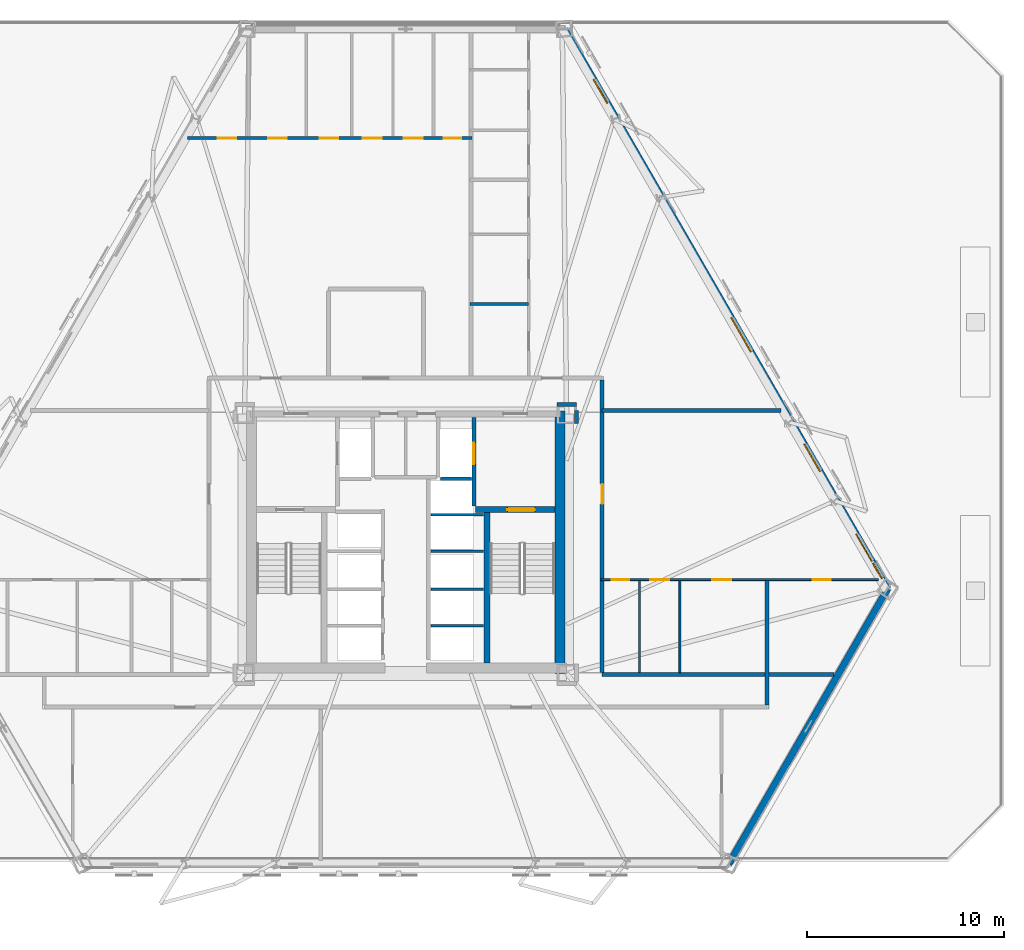
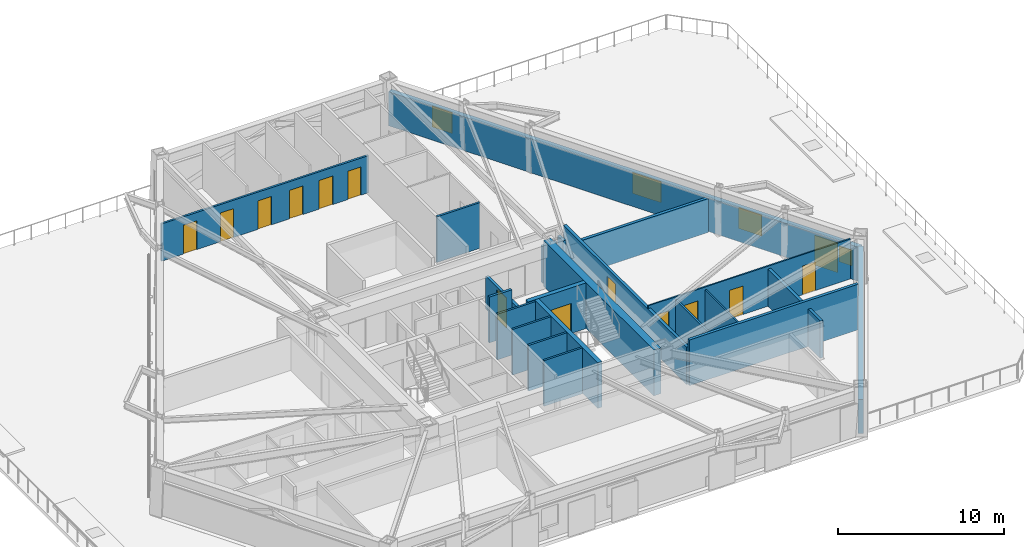
# One storey, part 5 of 14: 22 walls, 14 doors, 4 windows, 18 openings.
"""IFC4 building model written with IfcOpenShell, lengths in metres."""

from ifc_helpers import new_model, si_unit, direction, frame, frame_2d, origin, place, context, subcontext, project, spatial, rectangle, extrude, material, layer, layer_set, type_object, element, fill, save


model = new_model("IFC4")

# Units and contexts
model_context = context("Model", 3, precision=1e-05, world=origin(), true_north=direction((0.0, 1.0)))
body_context = subcontext(model_context, "Body", "Model", "MODEL_VIEW")
ifc_project = project(units=[si_unit("LENGTHUNIT", "METRE"), si_unit("AREAUNIT", "SQUARE_METRE"), si_unit("VOLUMEUNIT", "CUBIC_METRE"), si_unit("PLANEANGLEUNIT", "RADIAN"), si_unit("MASSUNIT", "GRAM", prefix="KILO")], contexts=[model_context])

# Site, building, storey
site_placement = place(None, origin())
site = spatial("IfcSite", under=ifc_project, at=site_placement, CompositionType="ELEMENT")
building_placement = place(site_placement, origin())
building = spatial("IfcBuilding", under=site, at=building_placement, Name="Oramaril Tower", CompositionType="ELEMENT")
storey_placement = place(building_placement, frame((0.0, 0.0, 27.300048828125)))
storey = spatial("IfcBuildingStorey", under=building, at=storey_placement, Name="L06", CompositionType="ELEMENT", Elevation=27.300048828125)

# Wall
ifc_material_1 = material(Name="Warm Cream Limestone", Category="masonry")
ifc_layer_1 = layer(ifc_material_1, 0.340087890625)
ifc_layer_set_1 = layer_set([ifc_layer_1], Name="WT-EXT34")
wall_type_1 = type_object("IfcWallType", Name="WT-EXT34", PredefinedType="SOLIDWALL", material=ifc_layer_set_1)
wall_1_placement = place(storey_placement, frame((53.862060546875, 1.360107421875, 0.0), z_axis=(0.0, 0.0, 1.0), x_axis=(0.500005168208, 0.866022419898, 0.0)))
element("IfcWall", 1, at=wall_1_placement, inside=storey, type_object=wall_type_1, Name="L06 Tower Limestone Facade Wall 3M", PredefinedType="SOLIDWALL", context=body_context, shape_type="SweptSolid", body=[
    extrude(rectangle(XDim=16.096435546875, YDim=0.340087890625, at=frame_2d((8.04833984375, 0.0))), origin(), (0.0, 0.0, 1.0), 2.493896484375),
])

# Wall, openings, door, windows
wall_2_placement = place(storey_placement, frame((61.910400390625, 15.300048828125, 0.0), z_axis=(0.0, 0.0, 1.0), x_axis=(-0.50000660679, 0.866021589319, 0.0)))
wall_2 = element("IfcWall", 2, at=wall_2_placement, inside=storey, type_object=wall_type_1, Name="L06 Tower Limestone Facade Wall 4M", PredefinedType="SOLIDWALL", context=body_context, shape_type="SweptSolid", body=[
    extrude(rectangle(XDim=32.72412109375, YDim=0.340087890625, at=frame_2d((16.362060546875, 0.0))), origin(), (0.0, 0.0, 1.0), 2.493896484375),
])
opening_1_placement = place(wall_2_placement, frame((1.60009765625, 0.0, 0.0)))
opening_1 = element("IfcOpeningElement", 3, at=opening_1_placement, cuts=wall_2, Name="Opening D-L06-T3", PredefinedType="OPENING", context=body_context, shape_type="SweptSolid", body=[
    extrude(rectangle(XDim=1.60009765625, YDim=2.199951171875, at=frame_2d((0.800048828125, 1.10009765625))), frame((0.0, 0.169921875, 0.0), z_axis=(0.0, -1.0, 0.0), x_axis=(1.0, 0.0, 0.0)), (0.0, 0.0, 1.0), 0.340087890625),
])
opening_2_placement = place(wall_2_placement, frame((6.854248046875, 0.0, 0.85009765625)))
opening_2 = element("IfcOpeningElement", 4, at=opening_2_placement, cuts=wall_2, Name="Opening WN-07", PredefinedType="OPENING", context=body_context, shape_type="SweptSolid", body=[
    extrude(rectangle(XDim=1.60009765625, YDim=1.533935546875, at=frame_2d((0.800048828125, 0.76708984375))), frame((0.0, 0.169921875, 0.0), z_axis=(0.0, -1.0, 0.0), x_axis=(1.0, 0.0, 0.0)), (0.0, 0.0, 1.0), 0.340087890625),
])
opening_3_placement = place(wall_2_placement, frame((13.85302734375, 0.0, 0.85009765625)))
opening_3 = element("IfcOpeningElement", 5, at=opening_3_placement, cuts=wall_2, Name="Opening WN-05", PredefinedType="OPENING", context=body_context, shape_type="SweptSolid", body=[
    extrude(rectangle(XDim=2.0, YDim=1.533935546875, at=frame_2d((1.0, 0.76708984375))), frame((0.0, 0.169921875, 0.0), z_axis=(0.0, -1.0, 0.0), x_axis=(1.0, 0.0, 0.0)), (0.0, 0.0, 1.0), 0.340087890625),
])
opening_4_placement = place(wall_2_placement, frame((28.38720703125, 0.0, 0.85009765625)))
opening_4 = element("IfcOpeningElement", 6, at=opening_4_placement, cuts=wall_2, Name="Opening WN-08", PredefinedType="OPENING", context=body_context, shape_type="SweptSolid", body=[
    extrude(rectangle(XDim=1.39990234375, YDim=1.533935546875, at=frame_2d((0.699951171875, 0.76708984375))), frame((0.0, 0.169921875, 0.0), z_axis=(0.0, -1.0, 0.0), x_axis=(1.0, 0.0, 0.0)), (0.0, 0.0, 1.0), 0.340087890625),
])
opening_5_placement = place(wall_2_placement, frame((0.589111328125, 0.0, 0.85009765625)))
opening_5 = element("IfcOpeningElement", 7, at=opening_5_placement, cuts=wall_2, Name="Opening WN-12", PredefinedType="OPENING", context=body_context, shape_type="SweptSolid", body=[
    extrude(rectangle(XDim=0.89990234375, YDim=1.14990234375, at=frame_2d((0.449951171875, 0.574951171875))), frame((0.0, 0.169921875, 0.0), z_axis=(0.0, -1.0, 0.0), x_axis=(1.0, 0.0, 0.0)), (0.0, 0.0, 1.0), 0.340087890625),
])
ifc_material_2 = material(Name="Anodised Aluminium 6063-T6", Category="aluminium")
door_type_1 = type_object("IfcDoorType", Name="DT-TER", OperationType="NOTDEFINED", PredefinedType="DOOR", material=ifc_material_2)
door_1_placement = place(opening_1_placement, origin())
door_1 = element("IfcDoor", 8, at=door_1_placement, inside=storey, type_object=door_type_1, Name="L06 Podium Roof Terrace Access Door", OperationType="SINGLE_SWING_RIGHT", OverallHeight=2.199951171875, OverallWidth=1.60009765625, PredefinedType="DOOR", context=body_context, shape_type="SweptSolid", body=[
    extrude(rectangle(XDim=1.60009765625, YDim=2.199951171875, at=frame_2d((0.800048828125, 1.10009765625))), frame((0.0, 0.02490234375, 0.0), z_axis=(0.0, -1.0, 0.0), x_axis=(1.0, 0.0, 0.0)), (0.0, 0.0, 1.0), 0.050048828125),
])
fill(opening_1, door_1)
ifc_material_3 = material(Name="Coastal Low-E Insulated Glass", Category="glass")
window_type_1 = type_object("IfcWindowType", Name="WNT-05", PartitioningType="SINGLE_PANEL", PredefinedType="WINDOW", material=ifc_material_3)
window_1_placement = place(opening_3_placement, origin())
window_1 = element("IfcWindow", 9, at=window_1_placement, inside=storey, type_object=window_type_1, Name="L06 Chicago Bay Window WN-05", OverallHeight=1.533935546875, OverallWidth=2.0, PartitioningType="SINGLE_PANEL", PredefinedType="WINDOW", context=body_context, shape_type="SweptSolid", body=[
    extrude(rectangle(XDim=2.0, YDim=1.533935546875, at=frame_2d((1.0, 0.76708984375))), frame((0.0, 0.030029296875, 0.0), z_axis=(0.0, -1.0, 0.0), x_axis=(1.0, 0.0, 0.0)), (0.0, 0.0, 1.0), 0.06005859375),
])
fill(opening_3, window_1)
ifc_material_4 = material(Name="Coastal Low-E Insulated Glass", Category="glass")
window_type_2 = type_object("IfcWindowType", Name="WNT-07", PartitioningType="SINGLE_PANEL", PredefinedType="WINDOW", material=ifc_material_4)
window_2_placement = place(opening_2_placement, origin())
window_2 = element("IfcWindow", 10, at=window_2_placement, inside=storey, type_object=window_type_2, Name="L06 Chicago Bay Window WN-07", OverallHeight=1.533935546875, OverallWidth=1.60009765625, PartitioningType="SINGLE_PANEL", PredefinedType="WINDOW", context=body_context, shape_type="SweptSolid", body=[
    extrude(rectangle(XDim=1.60009765625, YDim=1.533935546875, at=frame_2d((0.800048828125, 0.76708984375))), frame((0.0, 0.030029296875, 0.0), z_axis=(0.0, -1.0, 0.0), x_axis=(1.0, 0.0, 0.0)), (0.0, 0.0, 1.0), 0.06005859375),
])
fill(opening_2, window_2)
ifc_material_5 = material(Name="Coastal Low-E Insulated Glass", Category="glass")
window_type_3 = type_object("IfcWindowType", Name="WNT-08", PartitioningType="SINGLE_PANEL", PredefinedType="WINDOW", material=ifc_material_5)
window_3_placement = place(opening_4_placement, origin())
window_3 = element("IfcWindow", 11, at=window_3_placement, inside=storey, type_object=window_type_3, Name="L06 Chicago Bay Window WN-08", OverallHeight=1.533935546875, OverallWidth=1.39990234375, PartitioningType="SINGLE_PANEL", PredefinedType="WINDOW", context=body_context, shape_type="SweptSolid", body=[
    extrude(rectangle(XDim=1.39990234375, YDim=1.533935546875, at=frame_2d((0.699951171875, 0.76708984375))), frame((0.0, 0.030029296875, 0.0), z_axis=(0.0, -1.0, 0.0), x_axis=(1.0, 0.0, 0.0)), (0.0, 0.0, 1.0), 0.06005859375),
])
fill(opening_4, window_3)
ifc_material_6 = material(Name="Coastal Low-E Insulated Glass", Category="glass")
window_type_4 = type_object("IfcWindowType", Name="WNT-12", PartitioningType="SINGLE_PANEL", PredefinedType="WINDOW", material=ifc_material_6)
window_4_placement = place(opening_5_placement, origin())
window_4 = element("IfcWindow", 12, at=window_4_placement, inside=storey, type_object=window_type_4, Name="L06 Apartment Bedroom Window WN-12", OverallHeight=1.14990234375, OverallWidth=0.89990234375, PartitioningType="SINGLE_PANEL", PredefinedType="WINDOW", context=body_context, shape_type="SweptSolid", body=[
    extrude(rectangle(XDim=0.89990234375, YDim=1.14990234375, at=frame_2d((0.449951171875, 0.574951171875))), frame((0.0, 0.030029296875, 0.0), z_axis=(0.0, -1.0, 0.0), x_axis=(1.0, 0.0, 0.0)), (0.0, 0.0, 1.0), 0.06005859375),
])
fill(opening_5, window_4)

# Wall, openings, doors
ifc_material_7 = material(Name="Acoustic Gypsum Board Partition")
ifc_layer_2 = layer(ifc_material_7, 0.10009765625)
ifc_layer_set_2 = layer_set([ifc_layer_2], Name="WT-PT10")
wall_type_2 = type_object("IfcWallType", Name="WT-PT10", PredefinedType="PARTITIONING", material=ifc_layer_set_2)
wall_3_placement = place(storey_placement, frame((47.39990234375, 15.760009765625, 0.0), z_axis=(0.0, 0.0, 1.0), x_axis=(1.0, 0.0, 0.0)))
wall_3 = element("IfcWall", 13, at=wall_3_placement, inside=storey, type_object=wall_type_2, Name="L06 Interior Partition PT-10", PredefinedType="PARTITIONING", context=body_context, shape_type="SweptSolid", body=[
    extrude(rectangle(XDim=14.0439453125, YDim=0.10009765625, at=frame_2d((7.02197265625, 0.0))), origin(), (0.0, 0.0, 1.0), 2.946044921875),
])
opening_6_placement = place(wall_3_placement, frame((0.5400390625, 0.0, 0.0)))
opening_6 = element("IfcOpeningElement", 14, at=opening_6_placement, cuts=wall_3, Name="Opening D-L06-08", PredefinedType="OPENING", context=body_context, shape_type="SweptSolid", body=[
    extrude(rectangle(XDim=0.8798828125, YDim=2.080078125, at=frame_2d((0.43994140625, 1.0400390625))), frame((0.0, 0.050048828125, 0.0), z_axis=(0.0, -1.0, 0.0), x_axis=(1.0, 0.0, 0.0)), (0.0, 0.0, 1.0), 0.10009765625),
])
opening_7_placement = place(wall_3_placement, frame((2.489990234375, 0.0, 0.0)))
opening_7 = element("IfcOpeningElement", 15, at=opening_7_placement, cuts=wall_3, Name="Opening D-L06-09", PredefinedType="OPENING", context=body_context, shape_type="SweptSolid", body=[
    extrude(rectangle(XDim=0.949951171875, YDim=2.10009765625, at=frame_2d((0.47509765625, 1.050048828125))), frame((0.0, 0.050048828125, 0.0), z_axis=(0.0, -1.0, 0.0), x_axis=(1.0, 0.0, 0.0)), (0.0, 0.0, 1.0), 0.10009765625),
])
opening_8_placement = place(wall_3_placement, frame((5.637939453125, 0.0, 0.0)))
opening_8 = element("IfcOpeningElement", 16, at=opening_8_placement, cuts=wall_3, Name="Opening D-L06-10", PredefinedType="OPENING", context=body_context, shape_type="SweptSolid", body=[
    extrude(rectangle(XDim=0.949951171875, YDim=2.10009765625, at=frame_2d((0.47509765625, 1.050048828125))), frame((0.0, 0.050048828125, 0.0), z_axis=(0.0, -1.0, 0.0), x_axis=(1.0, 0.0, 0.0)), (0.0, 0.0, 1.0), 0.10009765625),
])
opening_9_placement = place(wall_3_placement, frame((10.7080078125, 0.0, 0.0)))
opening_9 = element("IfcOpeningElement", 17, at=opening_9_placement, cuts=wall_3, Name="Opening D-L06-11", PredefinedType="OPENING", context=body_context, shape_type="SweptSolid", body=[
    extrude(rectangle(XDim=0.919921875, YDim=2.1201171875, at=frame_2d((0.4599609375, 1.06005859375))), frame((0.0, 0.050048828125, 0.0), z_axis=(0.0, -1.0, 0.0), x_axis=(1.0, 0.0, 0.0)), (0.0, 0.0, 1.0), 0.10009765625),
])
ifc_material_8 = material(Name="FSC Brazilian Freijo Hardwood", Category="wood")
door_type_2 = type_object("IfcDoorType", Name="DT-BATH", OperationType="NOTDEFINED", PredefinedType="DOOR", material=ifc_material_8)
door_2_placement = place(opening_6_placement, origin())
door_2 = element("IfcDoor", 18, at=door_2_placement, inside=storey, type_object=door_type_2, Name="L06 Flat L06-U4 Bathroom Door D-L06-08", OperationType="SINGLE_SWING_RIGHT", OverallHeight=2.080078125, OverallWidth=0.8798828125, PredefinedType="DOOR", context=body_context, shape_type="SweptSolid", body=[
    extrude(rectangle(XDim=0.8798828125, YDim=2.080078125, at=frame_2d((0.43994140625, 1.0400390625))), frame((0.0, 0.02490234375, 0.0), z_axis=(0.0, -1.0, 0.0), x_axis=(1.0, 0.0, 0.0)), (0.0, 0.0, 1.0), 0.050048828125),
])
fill(opening_6, door_2)
ifc_material_9 = material(Name="FSC Brazilian Freijo Hardwood", Category="wood")
door_type_3 = type_object("IfcDoorType", Name="DT-BED", OperationType="NOTDEFINED", PredefinedType="DOOR", material=ifc_material_9)
door_3_placement = place(opening_9_placement, origin())
door_3 = element("IfcDoor", 19, at=door_3_placement, inside=storey, type_object=door_type_3, Name="L06 Flat L06-U4 Master Bedroom Door D-L06-11", OperationType="SINGLE_SWING_LEFT", OverallHeight=2.1201171875, OverallWidth=0.919921875, PredefinedType="DOOR", context=body_context, shape_type="SweptSolid", body=[
    extrude(rectangle(XDim=0.919921875, YDim=2.1201171875, at=frame_2d((0.4599609375, 1.06005859375))), frame((0.0, 0.02490234375, 0.0), z_axis=(0.0, -1.0, 0.0), x_axis=(1.0, 0.0, 0.0)), (0.0, 0.0, 1.0), 0.050048828125),
])
fill(opening_9, door_3)
ifc_material_10 = material(Name="FSC Brazilian Freijo Hardwood", Category="wood")
door_type_4 = type_object("IfcDoorType", Name="DT-STDY", OperationType="NOTDEFINED", PredefinedType="DOOR", material=ifc_material_10)
door_4_placement = place(opening_7_placement, origin())
door_4 = element("IfcDoor", 20, at=door_4_placement, inside=storey, type_object=door_type_4, Name="L06 Flat L06-U4 Kitchen Door D-L06-09", OperationType="SINGLE_SWING_LEFT", OverallHeight=2.10009765625, OverallWidth=0.949951171875, PredefinedType="DOOR", context=body_context, shape_type="SweptSolid", body=[
    extrude(rectangle(XDim=0.949951171875, YDim=2.10009765625, at=frame_2d((0.47509765625, 1.050048828125))), frame((0.0, 0.02490234375, 0.0), z_axis=(0.0, -1.0, 0.0), x_axis=(1.0, 0.0, 0.0)), (0.0, 0.0, 1.0), 0.050048828125),
])
fill(opening_7, door_4)
door_5_placement = place(opening_8_placement, origin())
door_5 = element("IfcDoor", 21, at=door_5_placement, inside=storey, type_object=door_type_4, Name="L06 Flat L06-U4 Home Office Door D-L06-10", OperationType="SINGLE_SWING_RIGHT", OverallHeight=2.10009765625, OverallWidth=0.949951171875, PredefinedType="DOOR", context=body_context, shape_type="SweptSolid", body=[
    extrude(rectangle(XDim=0.949951171875, YDim=2.10009765625, at=frame_2d((0.47509765625, 1.050048828125))), frame((0.0, 0.02490234375, 0.0), z_axis=(0.0, -1.0, 0.0), x_axis=(1.0, 0.0, 0.0)), (0.0, 0.0, 1.0), 0.050048828125),
])
fill(opening_8, door_5)

# Walls
wall_4_placement = place(storey_placement, frame((51.389892578125, 11.053955078125, 0.0), z_axis=(0.0, 0.0, 1.0), x_axis=(0.0, 1.0, 0.0)))
element("IfcWall", 22, at=wall_4_placement, inside=storey, type_object=wall_type_2, Name="L06 Interior Partition PT-10", PredefinedType="PARTITIONING", context=body_context, shape_type="SweptSolid", body=[
    extrude(rectangle(XDim=4.652099609375, YDim=0.10009765625, at=frame_2d((2.326171875, 0.0))), origin(), (0.0, 0.0, 1.0), 2.738037109375),
])
ifc_material_11 = material(Name="Acoustic Gypsum Board Partition")
ifc_layer_3 = layer(ifc_material_11, 0.1201171875)
ifc_layer_set_3 = layer_set([ifc_layer_3], Name="WT-PT12")
wall_type_3 = type_object("IfcWallType", Name="WT-PT12", PredefinedType="PARTITIONING", material=ifc_layer_set_3)
wall_5_placement = place(storey_placement, frame((49.340087890625, 11.053955078125, 0.0), z_axis=(0.0, 0.0, 1.0), x_axis=(0.0, 1.0, 0.0)))
element("IfcWall", 23, at=wall_5_placement, inside=storey, type_object=wall_type_3, Name="L06 Interior Partition PT-12", PredefinedType="PARTITIONING", context=body_context, shape_type="SweptSolid", body=[
    extrude(rectangle(XDim=4.652099609375, YDim=0.1201171875, at=frame_2d((2.326171875, 0.0))), origin(), (0.0, 0.0, 1.0), 2.738037109375),
])
ifc_material_12 = material(Name="Acoustic Gypsum Board Partition")
ifc_layer_4 = layer(ifc_material_12, 0.139892578125)
ifc_layer_set_4 = layer_set([ifc_layer_4], Name="WT-PT14")
wall_type_4 = type_object("IfcWallType", Name="WT-PT14", PredefinedType="PARTITIONING", material=ifc_layer_set_4)
for number, where, z_axis, x_axis, name in (
    (24, (38.780029296875, 13.419921875, 0.0), (0.0, 0.0, 1.0), (1.0, 0.0, 0.0), "L06 East Lift Divider"),
    (25, (38.780029296875, 15.27001953125, 0.0), (0.0, 0.0, 1.0), (1.0, 0.0, 0.0), "L06 East Lift Divider"),
    (26, (38.780029296875, 17.199951171875, 0.0), (0.0, 0.0, 1.0), (1.0, 0.0, 0.0), "L06 East Lift Divider"),
    (27, (38.780029296875, 19.050048828125, 0.0), (0.0, 0.0, 1.0), (1.0, 0.0, 0.0), "L06 East Lift Divider"),
):
    element("IfcWall", number, at=place(storey_placement, frame(where, z_axis=z_axis, x_axis=x_axis)), inside=storey, type_object=wall_type_4, Name=name, PredefinedType="PARTITIONING", context=body_context, shape_type="SweptSolid", body=[
        extrude(rectangle(XDim=2.659912109375, YDim=0.139892578125, at=frame_2d((1.330078125, 0.0))), origin(), (0.0, 0.0, 1.0), 3.35986328125),
    ])
wall_6_placement = place(storey_placement, frame((40.75, 29.719970703125, 0.0), z_axis=(0.0, 0.0, 1.0), x_axis=(1.0, 0.0, 0.0)))
element("IfcWall", 28, at=wall_6_placement, inside=storey, type_object=wall_type_4, Name="L06 Interior Partition PT-14", PredefinedType="PARTITIONING", context=body_context, shape_type="SweptSolid", body=[
    extrude(rectangle(XDim=2.97998046875, YDim=0.139892578125, at=frame_2d((1.489990234375, 0.0))), origin(), (0.0, 0.0, 1.0), 3.35986328125),
])

# Wall, openings, doors
wall_7_placement = place(storey_placement, frame((26.4658203125, 38.1201171875, 0.0), z_axis=(0.0, 0.0, 1.0), x_axis=(1.0, 0.0, 0.0)))
wall_7 = element("IfcWall", 29, at=wall_7_placement, inside=storey, type_object=wall_type_4, Name="L06 Interior Partition PT-14", PredefinedType="PARTITIONING", context=body_context, shape_type="SweptSolid", body=[
    extrude(rectangle(XDim=14.38427734375, YDim=0.139892578125, at=frame_2d((7.192138671875, 0.0))), origin(), (0.0, 0.0, 1.0), 2.738037109375),
])
opening_10_placement = place(wall_7_placement, frame((1.525146484375, 0.0, 0.0)))
opening_10 = element("IfcOpeningElement", 30, at=opening_10_placement, cuts=wall_7, Name="Opening D-L06-15", PredefinedType="OPENING", context=body_context, shape_type="SweptSolid", body=[
    extrude(rectangle(XDim=0.919921875, YDim=2.1201171875, at=frame_2d((0.4599609375, 1.06005859375))), frame((0.0, 0.06982421875, 0.0), z_axis=(0.0, -1.0, 0.0), x_axis=(1.0, 0.0, 0.0)), (0.0, 0.0, 1.0), 0.139892578125),
])
opening_11_placement = place(wall_7_placement, frame((4.08203125, 0.0, 0.0)))
opening_11 = element("IfcOpeningElement", 31, at=opening_11_placement, cuts=wall_7, Name="Opening D-L06-16", PredefinedType="OPENING", context=body_context, shape_type="SweptSolid", body=[
    extrude(rectangle(XDim=0.919921875, YDim=2.1201171875, at=frame_2d((0.4599609375, 1.06005859375))), frame((0.0, 0.06982421875, 0.0), z_axis=(0.0, -1.0, 0.0), x_axis=(1.0, 0.0, 0.0)), (0.0, 0.0, 1.0), 0.139892578125),
])
opening_12_placement = place(wall_7_placement, frame((6.6796875, 0.0, 0.0)))
opening_12 = element("IfcOpeningElement", 32, at=opening_12_placement, cuts=wall_7, Name="Opening D-L06-17", PredefinedType="OPENING", context=body_context, shape_type="SweptSolid", body=[
    extrude(rectangle(XDim=0.949951171875, YDim=2.10009765625, at=frame_2d((0.47509765625, 1.050048828125))), frame((0.0, 0.06982421875, 0.0), z_axis=(0.0, -1.0, 0.0), x_axis=(1.0, 0.0, 0.0)), (0.0, 0.0, 1.0), 0.139892578125),
])
opening_13_placement = place(wall_7_placement, frame((8.874267578125, 0.0, 0.0)))
opening_13 = element("IfcOpeningElement", 33, at=opening_13_placement, cuts=wall_7, Name="Opening D-L06-18", PredefinedType="OPENING", context=body_context, shape_type="SweptSolid", body=[
    extrude(rectangle(XDim=0.949951171875, YDim=2.10009765625, at=frame_2d((0.47509765625, 1.050048828125))), frame((0.0, 0.06982421875, 0.0), z_axis=(0.0, -1.0, 0.0), x_axis=(1.0, 0.0, 0.0)), (0.0, 0.0, 1.0), 0.139892578125),
])
opening_14_placement = place(wall_7_placement, frame((10.9443359375, 0.0, 0.0)))
opening_14 = element("IfcOpeningElement", 34, at=opening_14_placement, cuts=wall_7, Name="Opening D-L06-19", PredefinedType="OPENING", context=body_context, shape_type="SweptSolid", body=[
    extrude(rectangle(XDim=0.949951171875, YDim=2.10009765625, at=frame_2d((0.47509765625, 1.050048828125))), frame((0.0, 0.06982421875, 0.0), z_axis=(0.0, -1.0, 0.0), x_axis=(1.0, 0.0, 0.0)), (0.0, 0.0, 1.0), 0.139892578125),
])
opening_15_placement = place(wall_7_placement, frame((12.96435546875, 0.0, 0.0)))
opening_15 = element("IfcOpeningElement", 35, at=opening_15_placement, cuts=wall_7, Name="Opening D-L06-20", PredefinedType="OPENING", context=body_context, shape_type="SweptSolid", body=[
    extrude(rectangle(XDim=0.8798828125, YDim=2.080078125, at=frame_2d((0.43994140625, 1.0400390625))), frame((0.0, 0.06982421875, 0.0), z_axis=(0.0, -1.0, 0.0), x_axis=(1.0, 0.0, 0.0)), (0.0, 0.0, 1.0), 0.139892578125),
])
door_6_placement = place(opening_15_placement, origin())
door_6 = element("IfcDoor", 36, at=door_6_placement, inside=storey, type_object=door_type_2, Name="L06 Flat L06-U5 Bathroom Door D-L06-20", OperationType="SINGLE_SWING_RIGHT", OverallHeight=2.080078125, OverallWidth=0.8798828125, PredefinedType="DOOR", context=body_context, shape_type="SweptSolid", body=[
    extrude(rectangle(XDim=0.8798828125, YDim=2.080078125, at=frame_2d((0.43994140625, 1.0400390625))), frame((0.0, 0.02490234375, 0.0), z_axis=(0.0, -1.0, 0.0), x_axis=(1.0, 0.0, 0.0)), (0.0, 0.0, 1.0), 0.050048828125),
])
fill(opening_15, door_6)
door_7_placement = place(opening_10_placement, origin())
door_7 = element("IfcDoor", 37, at=door_7_placement, inside=storey, type_object=door_type_3, Name="L06 Flat L06-U5 Master Bedroom Door D-L06-15", OperationType="SINGLE_SWING_LEFT", OverallHeight=2.1201171875, OverallWidth=0.919921875, PredefinedType="DOOR", context=body_context, shape_type="SweptSolid", body=[
    extrude(rectangle(XDim=0.919921875, YDim=2.1201171875, at=frame_2d((0.4599609375, 1.06005859375))), frame((0.0, 0.02490234375, 0.0), z_axis=(0.0, -1.0, 0.0), x_axis=(1.0, 0.0, 0.0)), (0.0, 0.0, 1.0), 0.050048828125),
])
fill(opening_10, door_7)
door_8_placement = place(opening_11_placement, origin())
door_8 = element("IfcDoor", 38, at=door_8_placement, inside=storey, type_object=door_type_3, Name="L06 Flat L06-U5 Bedroom 2 Door D-L06-16", OperationType="SINGLE_SWING_RIGHT", OverallHeight=2.1201171875, OverallWidth=0.919921875, PredefinedType="DOOR", context=body_context, shape_type="SweptSolid", body=[
    extrude(rectangle(XDim=0.919921875, YDim=2.1201171875, at=frame_2d((0.4599609375, 1.06005859375))), frame((0.0, 0.02490234375, 0.0), z_axis=(0.0, -1.0, 0.0), x_axis=(1.0, 0.0, 0.0)), (0.0, 0.0, 1.0), 0.050048828125),
])
fill(opening_11, door_8)
door_9_placement = place(opening_12_placement, origin())
door_9 = element("IfcDoor", 39, at=door_9_placement, inside=storey, type_object=door_type_4, Name="L06 Flat L06-U5 Dining Room Door D-L06-17", OperationType="SINGLE_SWING_LEFT", OverallHeight=2.10009765625, OverallWidth=0.949951171875, PredefinedType="DOOR", context=body_context, shape_type="SweptSolid", body=[
    extrude(rectangle(XDim=0.949951171875, YDim=2.10009765625, at=frame_2d((0.47509765625, 1.050048828125))), frame((0.0, 0.02490234375, 0.0), z_axis=(0.0, -1.0, 0.0), x_axis=(1.0, 0.0, 0.0)), (0.0, 0.0, 1.0), 0.050048828125),
])
fill(opening_12, door_9)
door_10_placement = place(opening_13_placement, origin())
door_10 = element("IfcDoor", 40, at=door_10_placement, inside=storey, type_object=door_type_4, Name="L06 Flat L06-U5 Private Dining Room Door D-L06-18", OperationType="SINGLE_SWING_RIGHT", OverallHeight=2.10009765625, OverallWidth=0.949951171875, PredefinedType="DOOR", context=body_context, shape_type="SweptSolid", body=[
    extrude(rectangle(XDim=0.949951171875, YDim=2.10009765625, at=frame_2d((0.47509765625, 1.050048828125))), frame((0.0, 0.02490234375, 0.0), z_axis=(0.0, -1.0, 0.0), x_axis=(1.0, 0.0, 0.0)), (0.0, 0.0, 1.0), 0.050048828125),
])
fill(opening_13, door_10)
door_11_placement = place(opening_14_placement, origin())
door_11 = element("IfcDoor", 41, at=door_11_placement, inside=storey, type_object=door_type_4, Name="L06 Flat L06-U5 Kitchen Door D-L06-19", OperationType="SINGLE_SWING_LEFT", OverallHeight=2.10009765625, OverallWidth=0.949951171875, PredefinedType="DOOR", context=body_context, shape_type="SweptSolid", body=[
    extrude(rectangle(XDim=0.949951171875, YDim=2.10009765625, at=frame_2d((0.47509765625, 1.050048828125))), frame((0.0, 0.02490234375, 0.0), z_axis=(0.0, -1.0, 0.0), x_axis=(1.0, 0.0, 0.0)), (0.0, 0.0, 1.0), 0.050048828125),
])
fill(opening_14, door_11)

# Walls
ifc_material_13 = material(Name="Autoclaved Cellular Concrete Block", Category="concrete")
ifc_layer_5 = layer(ifc_material_13, 0.179931640625)
ifc_layer_set_5 = layer_set([ifc_layer_5], Name="WT-PT18")
wall_type_5 = type_object("IfcWallType", Name="WT-PT18", PredefinedType="PARTITIONING", material=ifc_layer_set_5)
wall_8_placement = place(storey_placement, frame((39.260009765625, 20.860107421875, 0.0), z_axis=(0.0, 0.0, 1.0), x_axis=(1.0, 0.0, 0.0)))
element("IfcWall", 42, at=wall_8_placement, inside=storey, type_object=wall_type_5, Name="L06 FL-2 South Shaft Wall", PredefinedType="PARTITIONING", context=body_context, shape_type="SweptSolid", body=[
    extrude(rectangle(XDim=1.580078125, YDim=0.179931640625, at=frame_2d((0.7900390625, 0.0))), origin(), (0.0, 0.0, 1.0), 3.35986328125),
])
ifc_material_14 = material(Name="Autoclaved Cellular Concrete Block", Category="concrete")
ifc_layer_6 = layer(ifc_material_14, 0.199951171875)
ifc_layer_set_6 = layer_set([ifc_layer_6], Name="WT-PT20")
wall_type_6 = type_object("IfcWallType", Name="WT-PT20", PredefinedType="PARTITIONING", material=ifc_layer_set_6)
wall_9_placement = place(storey_placement, frame((47.449951171875, 10.949951171875, 0.0), z_axis=(0.0, 0.0, 1.0), x_axis=(1.0, 0.0, 0.0)))
element("IfcWall", 43, at=wall_9_placement, inside=storey, type_object=wall_type_6, Name="L06 Interior Partition PT-20", PredefinedType="PARTITIONING", context=body_context, shape_type="SweptSolid", body=[
    extrude(rectangle(XDim=11.748046875, YDim=0.199951171875, at=frame_2d((5.8740234375, 0.0))), origin(), (0.0, 0.0, 1.0), 3.35986328125),
])
wall_10_placement = place(storey_placement, frame((47.449951171875, 24.320068359375, 0.0), z_axis=(0.0, 0.0, 1.0), x_axis=(1.0, 0.0, 0.0)))
element("IfcWall", 44, at=wall_10_placement, inside=storey, type_object=wall_type_6, Name="L06 Interior Partition PT-20", PredefinedType="PARTITIONING", context=body_context, shape_type="SweptSolid", body=[
    extrude(rectangle(XDim=9.0517578125, YDim=0.199951171875, at=frame_2d((4.52587890625, 0.0))), origin(), (0.0, 0.0, 1.0), 2.493896484375),
])
wall_11_placement = place(storey_placement, frame((45.155029296875, 24.639892578125, 0.0), z_axis=(0.0, 0.0, 1.0), x_axis=(1.0, 0.0, 0.0)))
element("IfcWall", 45, at=wall_11_placement, inside=storey, type_object=wall_type_6, Name="L06 Interior Partition PT-20", PredefinedType="PARTITIONING", context=body_context, shape_type="SweptSolid", body=[
    extrude(rectangle(XDim=0.989990234375, YDim=0.199951171875, at=frame_2d((0.4951171875, 0.0))), origin(), (0.0, 0.0, 1.0), 2.738037109375),
])
wall_12_placement = place(storey_placement, frame((46.14990234375, 23.655029296875, 0.0), z_axis=(0.0, 0.0, 1.0), x_axis=(0.0, 1.0, 0.0)))
element("IfcWall", 46, at=wall_12_placement, inside=storey, type_object=wall_type_6, Name="L06 Interior Partition PT-20", PredefinedType="PARTITIONING", context=body_context, shape_type="SweptSolid", body=[
    extrude(rectangle(XDim=0.6650390625, YDim=0.199951171875, at=frame_2d((0.33251953125, 0.0))), origin(), (0.0, 0.0, 1.0), 3.35986328125),
])

# Wall, opening, door
wall_13_placement = place(storey_placement, frame((47.449951171875, 11.053955078125, 0.0), z_axis=(0.0, 0.0, 1.0), x_axis=(0.0, 1.0, 0.0)))
wall_13 = element("IfcWall", 47, at=wall_13_placement, inside=storey, type_object=wall_type_6, Name="L06 Interior Partition PT-20", PredefinedType="PARTITIONING", context=body_context, shape_type="SweptSolid", body=[
    extrude(rectangle(XDim=14.81201171875, YDim=0.199951171875, at=frame_2d((7.406005859375, 0.0))), origin(), (0.0, 0.0, 1.0), 2.738037109375),
])
opening_16_placement = place(wall_13_placement, frame((8.541259765625, 0.0, 0.0)))
opening_16 = element("IfcOpeningElement", 48, at=opening_16_placement, cuts=wall_13, Name="Opening D-L06-29", PredefinedType="OPENING", context=body_context, shape_type="SweptSolid", body=[
    extrude(rectangle(XDim=1.0, YDim=2.179931640625, at=frame_2d((0.5, 1.08984375))), frame((0.0, 0.10009765625, 0.0), z_axis=(0.0, -1.0, 0.0), x_axis=(1.0, 0.0, 0.0)), (0.0, 0.0, 1.0), 0.199951171875),
])
ifc_material_15 = material(Name="FSC Brazilian Freijo Hardwood", Category="wood")
door_type_5 = type_object("IfcDoorType", Name="DT-APT", OperationType="NOTDEFINED", PredefinedType="DOOR", material=ifc_material_15)
door_12_placement = place(opening_16_placement, origin())
door_12 = element("IfcDoor", 49, at=door_12_placement, inside=storey, type_object=door_type_5, Name="L06 Flat L06-U4 Penthouse Living and Dining Room Door D-L06-29", OperationType="SINGLE_SWING_LEFT", OverallHeight=2.179931640625, OverallWidth=1.0, PredefinedType="DOOR", context=body_context, shape_type="SweptSolid", body=[
    extrude(rectangle(XDim=1.0, YDim=2.179931640625, at=frame_2d((0.5, 1.08984375))), frame((0.0, 0.02490234375, 0.0), z_axis=(0.0, -1.0, 0.0), x_axis=(1.0, 0.0, 0.0)), (0.0, 0.0, 1.0), 0.050048828125),
])
fill(opening_16, door_12)

# Wall
wall_14_placement = place(storey_placement, frame((55.800048828125, 9.404052734375, 0.0), z_axis=(0.0, 0.0, 1.0), x_axis=(0.0, 1.0, 0.0)))
element("IfcWall", 50, at=wall_14_placement, inside=storey, type_object=wall_type_6, Name="L06 Interior Partition PT-20", PredefinedType="PARTITIONING", context=body_context, shape_type="SweptSolid", body=[
    extrude(rectangle(XDim=6.302001953125, YDim=0.199951171875, at=frame_2d((3.15087890625, 0.0))), origin(), (0.0, 0.0, 1.0), 2.738037109375),
])

# Wall, opening, door
ifc_material_16 = material(Name="Concrete C50/60", Category="concrete")
ifc_layer_7 = layer(ifc_material_16, 0.300048828125)
ifc_layer_set_7 = layer_set([ifc_layer_7], Name="WT-SH30")
wall_type_7 = type_object("IfcWallType", Name="WT-SH30", PredefinedType="SHEAR", material=ifc_layer_set_7)
wall_15_placement = place(storey_placement, frame((41.050048828125, 19.31005859375, 0.0), z_axis=(0.0, 0.0, 1.0), x_axis=(1.0, 0.0, 0.0)))
wall_15 = element("IfcWall", 51, at=wall_15_placement, inside=storey, type_object=wall_type_7, Name="L06 Core Shear Wall CW-ST2N", PredefinedType="SHEAR", context=body_context, shape_type="SweptSolid", body=[
    extrude(rectangle(XDim=4.010009765625, YDim=0.300048828125, at=frame_2d((2.0048828125, 0.0))), origin(), (0.0, 0.0, 1.0), 3.35986328125),
])
opening_17_placement = place(wall_15_placement, frame((1.60009765625, 0.0, 0.0)))
opening_17 = element("IfcOpeningElement", 52, at=opening_17_placement, cuts=wall_15, Name="Opening D-L06-ST2", PredefinedType="OPENING", context=body_context, shape_type="SweptSolid", body=[
    extrude(rectangle(XDim=1.39990234375, YDim=2.199951171875, at=frame_2d((0.699951171875, 1.10009765625))), frame((0.0, 0.14990234375, 0.0), z_axis=(0.0, -1.0, 0.0), x_axis=(1.0, 0.0, 0.0)), (0.0, 0.0, 1.0), 0.300048828125),
])
ifc_material_17 = material(Name="Painted Galvanised Steel", Category="steel")
door_type_6 = type_object("IfcDoorType", Name="DT-ST", OperationType="NOTDEFINED", PredefinedType="DOOR", material=ifc_material_17)
door_13_placement = place(opening_17_placement, origin())
door_13 = element("IfcDoor", 53, at=door_13_placement, inside=storey, type_object=door_type_6, Name="L06 Protected Stair ST-2 Fire Door", OperationType="SINGLE_SWING_RIGHT", OverallHeight=2.199951171875, OverallWidth=1.39990234375, PredefinedType="DOOR", context=body_context, shape_type="SweptSolid", body=[
    extrude(rectangle(XDim=1.39990234375, YDim=2.199951171875, at=frame_2d((0.699951171875, 1.10009765625))), frame((0.0, 0.02490234375, 0.0), z_axis=(0.0, -1.0, 0.0), x_axis=(1.0, 0.0, 0.0)), (0.0, 0.0, 1.0), 0.050048828125),
])
fill(opening_17, door_13)

# Walls
wall_16_placement = place(storey_placement, frame((41.6201171875, 11.5400390625, 0.0), z_axis=(0.0, 0.0, 1.0), x_axis=(0.0, 1.0, 0.0)))
element("IfcWall", 54, at=wall_16_placement, inside=storey, type_object=wall_type_7, Name="L06 Core Shear Wall CW-ST2W", PredefinedType="SHEAR", context=body_context, shape_type="SweptSolid", body=[
    extrude(rectangle(XDim=7.619873046875, YDim=0.300048828125, at=frame_2d((3.81005859375, 0.0))), origin(), (0.0, 0.0, 1.0), 3.35986328125),
])
ifc_material_18 = material(Name="Concrete C50/60", Category="concrete")
ifc_layer_8 = layer(ifc_material_18, 0.5)
ifc_layer_set_8 = layer_set([ifc_layer_8], Name="WT-SH50")
wall_type_8 = type_object("IfcWallType", Name="WT-SH50", PredefinedType="SHEAR", material=ifc_layer_set_8)
wall_17_placement = place(storey_placement, frame((45.31005859375, 11.0, 0.0), z_axis=(0.0, 0.0, 1.0), x_axis=(0.0, 1.0, 0.0)))
element("IfcWall", 55, at=wall_17_placement, inside=storey, type_object=wall_type_8, Name="L06 Core Shear Wall CW-E", PredefinedType="SHEAR", context=body_context, shape_type="SweptSolid", body=[
    extrude(rectangle(XDim=13.300048828125, YDim=0.5, at=frame_2d((6.64990234375, 0.0))), origin(), (0.0, 0.0, 1.0), 3.35986328125),
])

# Wall, opening, door
ifc_material_19 = material(Name="Autoclaved Cellular Concrete Block", Category="concrete")
ifc_layer_9 = layer(ifc_material_19, 0.199951171875)
ifc_layer_set_9 = layer_set([ifc_layer_9], Name="WT-SHF20")
wall_type_9 = type_object("IfcWallType", Name="WT-SHF20", PredefinedType="PARTITIONING", material=ifc_layer_set_9)
wall_18_placement = place(storey_placement, frame((40.9599609375, 19.47998046875, 0.0), z_axis=(0.0, 0.0, 1.0), x_axis=(0.0, 1.0, 0.0)))
wall_18 = element("IfcWall", 56, at=wall_18_placement, inside=storey, type_object=wall_type_9, Name="L06 FL-2 Lobby Shaft Wall", PredefinedType="PARTITIONING", context=body_context, shape_type="SweptSolid", body=[
    extrude(rectangle(XDim=4.5, YDim=0.199951171875, at=frame_2d((2.25, 0.0))), origin(), (0.0, 0.0, 1.0), 2.39990234375),
])
opening_18_placement = place(wall_18_placement, frame((2.1201171875, 0.0, 0.0)))
opening_18 = element("IfcOpeningElement", 57, at=opening_18_placement, cuts=wall_18, Name="Opening LD-L06-FL-2", PredefinedType="OPENING", context=body_context, shape_type="SweptSolid", body=[
    extrude(rectangle(XDim=1.10009765625, YDim=2.199951171875, at=frame_2d((0.550048828125, 1.10009765625))), frame((0.0, 0.10009765625, 0.0), z_axis=(0.0, -1.0, 0.0), x_axis=(1.0, 0.0, 0.0)), (0.0, 0.0, 1.0), 0.199951171875),
])
ifc_material_20 = material(Name="Stainless Steel 316L", Category="steel")
door_type_7 = type_object("IfcDoorType", Name="DT-LD1", OperationType="NOTDEFINED", PredefinedType="DOOR", material=ifc_material_20)
door_14_placement = place(opening_18_placement, origin())
door_14 = element("IfcDoor", 58, at=door_14_placement, inside=storey, type_object=door_type_7, Name="L06 Lift FL-2 Sliding Landing Door", OperationType="SLIDING_TO_RIGHT", OverallHeight=2.199951171875, OverallWidth=1.10009765625, PredefinedType="DOOR", context=body_context, shape_type="SweptSolid", body=[
    extrude(rectangle(XDim=1.10009765625, YDim=2.199951171875, at=frame_2d((0.550048828125, 1.10009765625))), frame((0.0, 0.02490234375, 0.0), z_axis=(0.0, -1.0, 0.0), x_axis=(1.0, 0.0, 0.0)), (0.0, 0.0, 1.0), 0.050048828125),
])
fill(opening_18, door_14)

save(model, "model.ifc")
